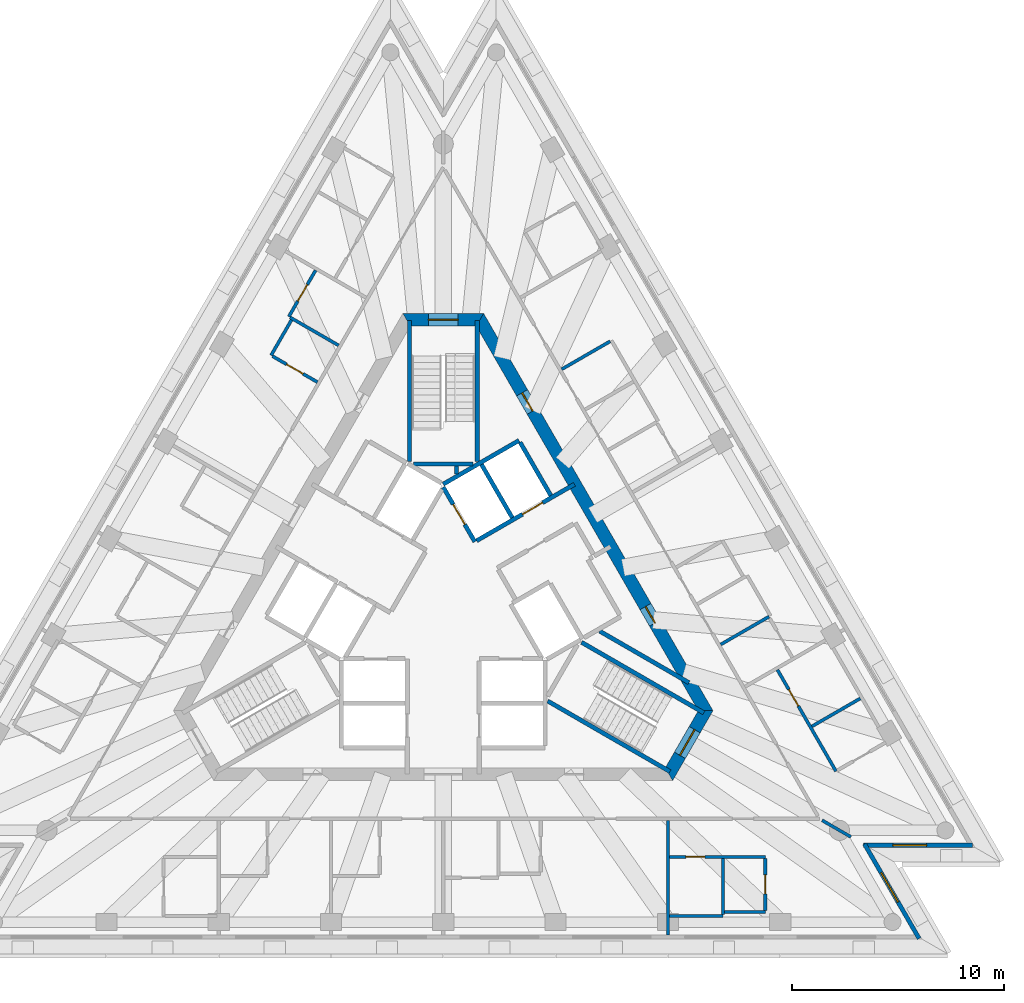
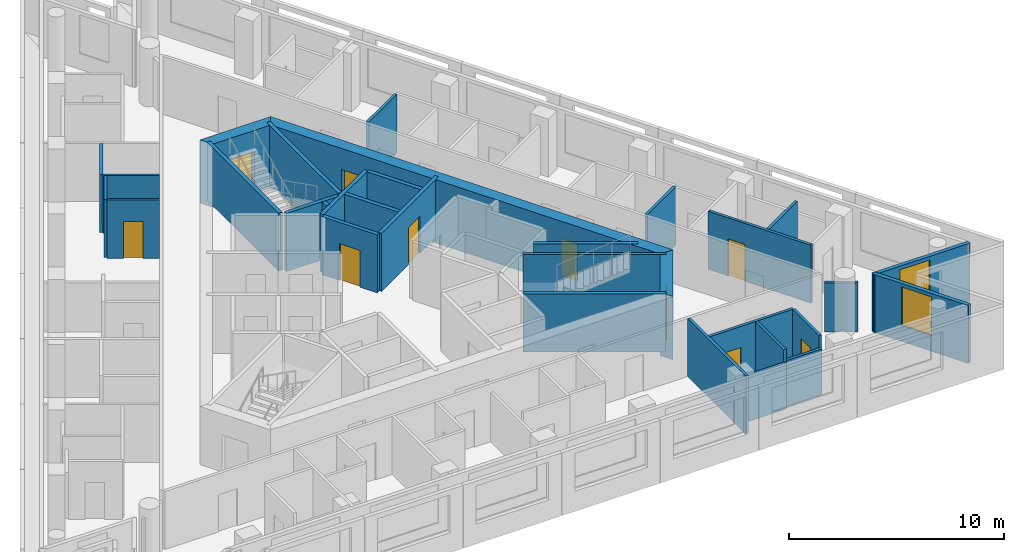
# One storey, part 6 of 11: 32 walls, 11 doors, 2 windows, 13 openings.
"""IFC4 building model written with IfcOpenShell, lengths in metres."""

from ifc_helpers import new_model, si_unit, direction, frame, frame_2d, origin, place, context, subcontext, project, spatial, polyline, rectangle, outline, extrude, material, layer, layer_set, layer_usage, type_object, element, fill, save


model = new_model("IFC4")

# Units and contexts
model_context = context("Model", 3, precision=1e-05, world=origin(), true_north=direction((0.0, 1.0)))
body_context = subcontext(model_context, "Body", "Model", "MODEL_VIEW")
ifc_project = project(units=[si_unit("LENGTHUNIT", "METRE"), si_unit("AREAUNIT", "SQUARE_METRE"), si_unit("VOLUMEUNIT", "CUBIC_METRE"), si_unit("PLANEANGLEUNIT", "RADIAN"), si_unit("MASSUNIT", "GRAM", prefix="KILO")], contexts=[model_context])

# Site, building, storey
site_placement = place(None, origin())
site = spatial("IfcSite", under=ifc_project, at=site_placement, CompositionType="ELEMENT")
building_placement = place(site_placement, origin())
building = spatial("IfcBuilding", under=site, at=building_placement, Name="Triada Interchange Tower", CompositionType="ELEMENT")
storey_placement = place(building_placement, frame((0.0, 0.0, 307.89990234375)))
storey = spatial("IfcBuildingStorey", under=building, at=storey_placement, Name="L73", CompositionType="ELEMENT", Elevation=307.89990234375)

# Wall
ifc_material_1 = material(Name="Concrete C30/37", Category="concrete")
ifc_layer_1 = layer(ifc_material_1, 0.199951171875)
ifc_layer_set_1 = layer_set([ifc_layer_1], Name="CORE WALL 200 EI 120")
wall_type_1 = type_object("IfcWallType", Name="CORE WALL 200 EI 120", PredefinedType="SOLIDWALL", material=ifc_layer_set_1)
wall_1_placement = place(storey_placement, frame((-0.001953125, 5.541015625, 0.0), z_axis=(0.0, 0.0, 1.0), x_axis=(0.86600155993, 0.500041296494, 0.0)))
element("IfcWall", 1, at=wall_1_placement, inside=storey, type_object=wall_type_1, Name="Wall L71 79", PredefinedType="SOLIDWALL", context=body_context, shape_type="SweptSolid", body=[
    extrude(rectangle(XDim=4.131591796875, YDim=0.199951171875, at=frame_2d((2.06591796875, 0.0))), origin(), (0.0, 0.0, 1.0), 3.300048828125),
])

# Wall, opening, door
wall_2_placement = place(storey_placement, frame((0.0, 5.39990234375, 0.0), z_axis=(0.0, 0.0, 1.0), x_axis=(0.500103862429, -0.865965430478, 0.0)))
wall_2 = element("IfcWall", 2, at=wall_2_placement, inside=storey, type_object=wall_type_1, Name="Wall L71 80", PredefinedType="SOLIDWALL", context=body_context, shape_type="SweptSolid", body=[
    extrude(rectangle(XDim=2.973388671875, YDim=0.199951171875, at=frame_2d((1.48681640625, 0.0))), origin(), (0.0, 0.0, 1.0), 3.300048828125),
])
opening_1_placement = place(wall_2_placement, frame((0.93701171875, 0.0, 0.0)))
opening_1 = element("IfcOpeningElement", 3, at=opening_1_placement, cuts=wall_2, Name="Opening LD-HR5", PredefinedType="OPENING", context=body_context, shape_type="SweptSolid", body=[
    extrude(rectangle(XDim=1.10009765625, YDim=2.10009765625, at=frame_2d((0.550048828125, 1.050048828125))), frame((0.0, 0.10986328125, 0.0), z_axis=(0.0, -1.0, 0.0), x_axis=(1.0, 0.0, 0.0)), (0.0, 0.0, 1.0), 0.219970703125),
])
ifc_material_2 = material(Name="Steel S235 door leaf", Category="steel")
door_type_1 = type_object("IfcDoorType", Name="LIFT LANDING DOOR 1100 EI 120", OperationType="SLIDING_TO_LEFT", PredefinedType="DOOR", material=ifc_material_2)
door_1_placement = place(opening_1_placement, origin())
door_1 = element("IfcDoor", 4, at=door_1_placement, inside=storey, type_object=door_type_1, Name="HR5 landing door L73", OperationType="SLIDING_TO_LEFT", OverallHeight=2.10009765625, OverallWidth=1.10009765625, PredefinedType="DOOR", context=body_context, shape_type="SweptSolid", body=[
    extrude(rectangle(XDim=1.10009765625, YDim=2.10009765625, at=frame_2d((0.550048828125, 1.050048828125))), frame((0.0, 0.02490234375, 0.0), z_axis=(0.0, -1.0, 0.0), x_axis=(1.0, 0.0, 0.0)), (0.0, 0.0, 1.0), 0.050048828125),
])
fill(opening_1, door_1)

wall_3_placement = place(storey_placement, frame((1.577880859375, 2.8740234375, 0.0), z_axis=(0.0, 0.0, 1.0), x_axis=(0.866045911672, 0.499964477614, 0.0)))
wall_3 = element("IfcWall", 5, at=wall_3_placement, inside=storey, type_object=wall_type_1, Name="Wall L71 82", PredefinedType="SOLIDWALL", context=body_context, shape_type="SweptSolid", body=[
    extrude(rectangle(XDim=5.32666015625, YDim=0.199951171875, at=frame_2d((2.663330078125, 0.0))), origin(), (0.0, 0.0, 1.0), 3.300048828125),
])
opening_2_placement = place(wall_3_placement, frame((2.49609375, 0.0, 0.0)))
opening_2 = element("IfcOpeningElement", 6, at=opening_2_placement, cuts=wall_3, Name="Opening LD-HR6", PredefinedType="OPENING", context=body_context, shape_type="SweptSolid", body=[
    extrude(rectangle(XDim=1.10009765625, YDim=2.10009765625, at=frame_2d((0.550048828125, 1.050048828125))), frame((0.0, 0.10986328125, 0.0), z_axis=(0.0, -1.0, 0.0), x_axis=(1.0, 0.0, 0.0)), (0.0, 0.0, 1.0), 0.219970703125),
])
door_2_placement = place(opening_2_placement, origin())
door_2 = element("IfcDoor", 7, at=door_2_placement, inside=storey, type_object=door_type_1, Name="HR6 landing door L73", OperationType="SLIDING_TO_LEFT", OverallHeight=2.10009765625, OverallWidth=1.10009765625, PredefinedType="DOOR", context=body_context, shape_type="SweptSolid", body=[
    extrude(rectangle(XDim=1.10009765625, YDim=2.10009765625, at=frame_2d((0.550048828125, 1.050048828125))), frame((0.0, 0.02490234375, 0.0), z_axis=(0.0, -1.0, 0.0), x_axis=(1.0, 0.0, 0.0)), (0.0, 0.0, 1.0), 0.050048828125),
])
fill(opening_2, door_2)

# Walls
for number, where, z_axis, x_axis, name in (
    (8, (3.6259765625, 7.52001953125, 0.0), (0.0, 0.0, 1.0), (0.500060147554, -0.865990674793, 0.0), "Wall L71 87"),
    (9, (1.806884765625, 6.469970703125, 0.0), (0.0, 0.0, 1.0), (0.50012328804, -0.865954211699, 0.0), "Wall L71 88"),
):
    element("IfcWall", number, at=place(storey_placement, frame(where, z_axis=z_axis, x_axis=x_axis)), inside=storey, type_object=wall_type_1, Name=name, PredefinedType="SOLIDWALL", context=body_context, shape_type="SweptSolid", body=[
        extrude(rectangle(XDim=2.899658203125, YDim=0.199951171875, at=frame_2d((1.44970703125, 0.0))), origin(), (0.0, 0.0, 1.0), 3.300048828125),
    ])
ifc_layer_2 = layer(ifc_material_1, 0.199951171875)
ifc_layer_set_2 = layer_set([ifc_layer_2], Name="CORE WALL 200 EI 90")
wall_type_2 = type_object("IfcWallType", Name="CORE WALL 200 EI 90", PredefinedType="SOLIDWALL", material=ifc_layer_set_2)
wall_4_placement = place(storey_placement, frame((0.62109375, 6.01611328125, 0.0), z_axis=(0.0, 0.0, 1.0), x_axis=(0.0, 1.0, 0.0)))
element("IfcWall", 10, at=wall_4_placement, inside=storey, type_object=wall_type_2, Name="Wall L71 110", PredefinedType="SOLIDWALL", context=body_context, shape_type="SweptSolid", body=[
    extrude(rectangle(XDim=0.3837890625, YDim=0.199951171875, at=frame_2d((0.19189453125, 0.0))), origin(), (0.0, 0.0, 1.0), 3.300048828125),
])
wall_5_placement = place(storey_placement, frame((7.383056640625, -1.39501953125, 0.0), z_axis=(0.0, 0.0, 1.0), x_axis=(0.865968383994, -0.500098748171, 0.0)))
element("IfcWall", 11, at=wall_5_placement, inside=storey, type_object=wall_type_2, Name="Wall L71 114", PredefinedType="SOLIDWALL", context=body_context, shape_type="SweptSolid", body=[
    extrude(rectangle(XDim=4.8671875, YDim=0.199951171875, at=frame_2d((2.43359375, 0.0))), origin(), (0.0, 0.0, 1.0), 3.300048828125),
])
ifc_layer_3 = layer(ifc_material_1, 0.199951171875)
ifc_layer_set_3 = layer_set([ifc_layer_3], Name="CORE WALL 200 REI 240")
wall_type_3 = type_object("IfcWallType", Name="CORE WALL 200 REI 240", PredefinedType="SOLIDWALL", material=ifc_layer_set_3)
wall_6_placement = place(storey_placement, frame((1.60009765625, 6.614990234375, 0.0), z_axis=(0.0, 0.0, 1.0), x_axis=(0.0, 1.0, 0.0)))
element("IfcWall", 12, at=wall_6_placement, inside=storey, type_object=wall_type_3, Name="Wall L71 118", PredefinedType="SOLIDWALL", context=body_context, shape_type="SweptSolid", body=[
    extrude(rectangle(XDim=6.6650390625, YDim=0.199951171875, at=frame_2d((3.33251953125, 0.0))), origin(), (0.0, 0.0, 1.0), 3.300048828125),
])
wall_7_placement = place(storey_placement, frame((-1.39990234375, 6.5, 0.0), z_axis=(0.0, 0.0, 1.0), x_axis=(1.0, 0.0, 0.0)))
element("IfcWall", 13, at=wall_7_placement, inside=storey, type_object=wall_type_3, Name="Wall L71 119", PredefinedType="SOLIDWALL", context=body_context, shape_type="SweptSolid", body=[
    extrude(rectangle(XDim=2.7998046875, YDim=0.199951171875, at=frame_2d((1.39990234375, 0.0))), origin(), (0.0, 0.0, 1.0), 3.300048828125),
])
for number, where, z_axis, x_axis, name in (
    (14, (-1.60009765625, 6.614990234375, 0.0), (0.0, 0.0, 1.0), (0.0, 1.0, 0.0), "Wall L71 120"),
    (15, (4.928955078125, -4.693115234375, 0.0), (0.0, 0.0, 1.0), (0.866005022404, -0.500035299925, 0.0), "Wall L71 121"),
):
    element("IfcWall", number, at=place(storey_placement, frame(where, z_axis=z_axis, x_axis=x_axis)), inside=storey, type_object=wall_type_3, Name=name, PredefinedType="SOLIDWALL", context=body_context, shape_type="SweptSolid", body=[
        extrude(rectangle(XDim=6.6650390625, YDim=0.199951171875, at=frame_2d((3.33251953125, 0.0))), origin(), (0.0, 0.0, 1.0), 3.300048828125),
    ])
wall_8_placement = place(storey_placement, frame((6.529052734375, -1.922119140625, 0.0), z_axis=(0.0, 0.0, 1.0), x_axis=(0.866068467981, -0.499925403204, 0.0)))
element("IfcWall", 16, at=wall_8_placement, inside=storey, type_object=wall_type_3, Name="Wall L71 123", PredefinedType="SOLIDWALL", context=body_context, shape_type="SweptSolid", body=[
    extrude(rectangle(XDim=6.66455078125, YDim=0.199951171875, at=frame_2d((3.332275390625, 0.0))), origin(), (0.0, 0.0, 1.0), 3.300048828125),
])

# Wall, opening, door
ifc_material_3 = material(Name="Concrete C40/50", Category="concrete")
ifc_layer_4 = layer(ifc_material_3, 0.60009765625)
ifc_layer_set_4 = layer_set([ifc_layer_4], Name="Core wall D 600")
wall_type_4 = type_object("IfcWallType", Name="Core wall D 600", PredefinedType="SHEAR", material=ifc_layer_set_4)
wall_9_placement = place(storey_placement, frame((1.73193359375, 13.300048828125, -0.2998046875), z_axis=(0.0, 0.0, 1.0), x_axis=(-1.0, 0.0, 0.0)))
wall_9 = element("IfcWall", 17, at=wall_9_placement, inside=storey, type_object=wall_type_4, Name="Core wall WD01 L73", PredefinedType="SHEAR", context=body_context, shape_type="SweptSolid", body=[
    extrude(outline(polyline([(-0.173095703125, -0.300048828125), (1.73193359375, -0.300048828125), (3.636962890625, -0.300048828125), (3.291015625, 0.300048828125), (1.73193359375, 0.300048828125), (0.173095703125, 0.300048828125), (-0.173095703125, -0.300048828125)])), origin(), (0.0, 0.0, 1.0), 3.599853515625),
])
opening_3_placement = place(wall_9_placement, frame((1.031982421875, 0.0, 0.300048828125)))
opening_3 = element("IfcOpeningElement", 18, at=opening_3_placement, cuts=wall_9, Name="Opening D71-50", PredefinedType="OPENING", context=body_context, shape_type="SweptSolid", body=[
    extrude(rectangle(XDim=1.39990234375, YDim=2.10009765625, at=frame_2d((0.699951171875, 1.050048828125))), frame((0.0, 0.31005859375, 0.0), z_axis=(0.0, -1.0, 0.0), x_axis=(1.0, 0.0, 0.0)), (0.0, 0.0, 1.0), 0.6201171875),
])
door_type_2 = type_object("IfcDoorType", Name="STAIR DOOR 1400 EI2 90-C5S200", OperationType="DOUBLE_DOOR_SINGLE_SWING", PredefinedType="DOOR", material=ifc_material_2)
door_3_placement = place(opening_3_placement, origin())
door_3 = element("IfcDoor", 19, at=door_3_placement, inside=storey, type_object=door_type_2, Name="Door D71-50 L73", OperationType="DOUBLE_DOOR_SINGLE_SWING", OverallHeight=2.10009765625, OverallWidth=1.39990234375, PredefinedType="DOOR", context=body_context, shape_type="SweptSolid", body=[
    extrude(rectangle(XDim=1.39990234375, YDim=2.10009765625, at=frame_2d((0.699951171875, 1.050048828125))), frame((0.0, 0.02490234375, 0.0), z_axis=(0.0, -1.0, 0.0), x_axis=(1.0, 0.0, 0.0)), (0.0, 0.0, 1.0), 0.050048828125),
])
fill(opening_3, door_3)

wall_10_placement = place(storey_placement, frame((10.652099609375, -8.14990234375, -0.2998046875), z_axis=(0.0, 0.0, 1.0), x_axis=(0.49997462182, 0.866040055388, 0.0)))
wall_10 = element("IfcWall", 20, at=wall_10_placement, inside=storey, type_object=wall_type_4, Name="Core wall WD05 L73", PredefinedType="SHEAR", context=body_context, shape_type="SweptSolid", body=[
    extrude(outline(polyline([(-0.173095703125, -0.300048828125), (1.732421875, -0.300537109375), (3.637939453125, -0.301025390625), (3.291015625, 0.300048828125), (1.73193359375, 0.300048828125), (0.173095703125, 0.300048828125), (-0.173095703125, -0.300048828125)])), origin(), (0.0, 0.0, 1.0), 3.599853515625),
])
opening_4_placement = place(wall_10_placement, frame((1.031982421875, 0.0, 0.300048828125)))
opening_4 = element("IfcOpeningElement", 21, at=opening_4_placement, cuts=wall_10, Name="Opening D71-52", PredefinedType="OPENING", context=body_context, shape_type="SweptSolid", body=[
    extrude(rectangle(XDim=1.39990234375, YDim=2.10009765625, at=frame_2d((0.699951171875, 1.050048828125))), frame((0.0, 0.31005859375, 0.0), z_axis=(0.0, -1.0, 0.0), x_axis=(1.0, 0.0, 0.0)), (0.0, 0.0, 1.0), 0.62109375),
])
door_4_placement = place(opening_4_placement, origin())
door_4 = element("IfcDoor", 22, at=door_4_placement, inside=storey, type_object=door_type_2, Name="Door D71-52 L73", OperationType="DOUBLE_DOOR_SINGLE_SWING", OverallHeight=2.10009765625, OverallWidth=1.39990234375, PredefinedType="DOOR", context=body_context, shape_type="SweptSolid", body=[
    extrude(rectangle(XDim=1.39990234375, YDim=2.10009765625, at=frame_2d((0.699951171875, 1.050048828125))), frame((0.0, 0.02490234375, 0.0), z_axis=(0.0, -1.0, 0.0), x_axis=(1.0, 0.0, 0.0)), (0.0, 0.0, 1.0), 0.050048828125),
])
fill(opening_4, door_4)

# Wall, openings, doors
wall_11_placement = place(storey_placement, frame((12.384033203125, -5.14990234375, -0.2998046875), z_axis=(0.0, 0.0, 1.0), x_axis=(-0.500000539815, 0.866025092122, 0.0)))
wall_11 = element("IfcWall", 23, at=wall_11_placement, inside=storey, type_object=wall_type_4, Name="Core wall WD06 L73", PredefinedType="SHEAR", context=body_context, shape_type="SweptSolid", body=[
    extrude(outline(polyline([(-0.173095703125, -0.301025390625), (1.795166015625, -0.301025390625), (3.76318359375, -0.30078125), (5.7314453125, -0.30078125), (7.69970703125, -0.30078125), (9.66796875, -0.300537109375), (11.635986328125, -0.300537109375), (13.604248046875, -0.30029296875), (15.572509765625, -0.30029296875), (17.540771484375, -0.30029296875), (19.5087890625, -0.300048828125), (21.47705078125, -0.300048828125), (21.131103515625, 0.300048828125), (19.225830078125, 0.300048828125), (17.320556640625, 0.300048828125), (15.415283203125, 0.300048828125), (13.510009765625, 0.300048828125), (11.604736328125, 0.300048828125), (9.699462890625, 0.300048828125), (7.794189453125, 0.300048828125), (5.888916015625, 0.300048828125), (3.983642578125, 0.300048828125), (2.078369140625, 0.300048828125), (0.173095703125, 0.300048828125), (-0.173095703125, -0.301025390625)])), origin(), (0.0, 0.0, 1.0), 3.599853515625),
])
opening_5_placement = place(wall_11_placement, frame((16.327880859375, 0.0, 0.300048828125)))
opening_5 = element("IfcOpeningElement", 24, at=opening_5_placement, cuts=wall_11, Name="Opening D71-57", PredefinedType="OPENING", context=body_context, shape_type="SweptSolid", body=[
    extrude(rectangle(XDim=1.0, YDim=2.10009765625, at=frame_2d((0.5, 1.050048828125))), frame((0.0, 0.31005859375, 0.0), z_axis=(0.0, -1.0, 0.0), x_axis=(1.0, 0.0, 0.0)), (0.0, 0.0, 1.0), 0.62109375),
])
opening_6_placement = place(wall_11_placement, frame((4.777099609375, 0.0, 0.300048828125)))
opening_6 = element("IfcOpeningElement", 25, at=opening_6_placement, cuts=wall_11, Name="Opening D71-59", PredefinedType="OPENING", context=body_context, shape_type="SweptSolid", body=[
    extrude(rectangle(XDim=0.89990234375, YDim=2.10009765625, at=frame_2d((0.449951171875, 1.050048828125))), frame((0.0, 0.31005859375, 0.0), z_axis=(0.0, -1.0, 0.0), x_axis=(1.0, 0.0, 0.0)), (0.0, 0.0, 1.0), 0.62109375),
])
door_type_3 = type_object("IfcDoorType", Name="RISER ACCESS DOOR 900 EI2 45-C5S200", OperationType="NOTDEFINED", PredefinedType="DOOR", material=ifc_material_2)
door_5_placement = place(opening_6_placement, origin())
door_5 = element("IfcDoor", 26, at=door_5_placement, inside=storey, type_object=door_type_3, Name="Door D71-59 L73", OperationType="SINGLE_SWING_LEFT", OverallHeight=2.10009765625, OverallWidth=0.89990234375, PredefinedType="DOOR", context=body_context, shape_type="SweptSolid", body=[
    extrude(rectangle(XDim=0.89990234375, YDim=2.10009765625, at=frame_2d((0.449951171875, 1.050048828125))), frame((0.0, 0.02490234375, 0.0), z_axis=(0.0, -1.0, 0.0), x_axis=(1.0, 0.0, 0.0)), (0.0, 0.0, 1.0), 0.050048828125),
])
fill(opening_6, door_5)
door_type_4 = type_object("IfcDoorType", Name="SERVICE DOOR 1000 EI2 45-C5S200", OperationType="NOTDEFINED", PredefinedType="DOOR", material=ifc_material_2)
door_6_placement = place(opening_5_placement, origin())
door_6 = element("IfcDoor", 27, at=door_6_placement, inside=storey, type_object=door_type_4, Name="Door D71-57 L73", OperationType="SINGLE_SWING_RIGHT", OverallHeight=2.10009765625, OverallWidth=1.0, PredefinedType="DOOR", context=body_context, shape_type="SweptSolid", body=[
    extrude(rectangle(XDim=1.0, YDim=2.10009765625, at=frame_2d((0.5, 1.050048828125))), frame((0.0, 0.02490234375, 0.0), z_axis=(0.0, -1.0, 0.0), x_axis=(1.0, 0.0, 0.0)), (0.0, 0.0, 1.0), 0.050048828125),
])
fill(opening_5, door_6)

# Wall, opening, window
ifc_material_4 = material(Name="Cement board")
ifc_layer_5 = layer(ifc_material_4, 0.02001953125, Name="Cement board cladding")
ifc_material_5 = material(Name="Sheathing board")
ifc_layer_6 = layer(ifc_material_5, 0.014892578125, Name="Sheathing board")
ifc_material_6 = material(Name="Mineral wool")
ifc_layer_7 = layer(ifc_material_6, 0.14990234375, Name="Mineral wool between steel studs")
ifc_material_7 = material(Name="Gypsum board")
ifc_layer_8 = layer(ifc_material_7, 0.014892578125, Name="Plasterboard lining")
ifc_layer_set_5 = layer_set([ifc_layer_5, ifc_layer_6, ifc_layer_7, ifc_layer_8], Name="External wall 200")
ifc_layer_usage = layer_usage(ifc_layer_set_5, "AXIS2", "POSITIVE", -0.10009765625)
wall_type_5 = type_object("IfcWallType", Name="External wall 200", PredefinedType="ELEMENTEDWALL", material=ifc_layer_set_5)
wall_12_placement = place(storey_placement, frame((22.4619140625, -15.905029296875, 0.0), z_axis=(0.0, 0.0, 1.0), x_axis=(-0.500054376048, 0.865994007483, 0.0)))
wall_12 = element("IfcWall", 28, at=wall_12_placement, inside=storey, type_object=wall_type_5, material=ifc_layer_usage, Name="External wall L73 SE-1", PredefinedType="ELEMENTEDWALL", context=body_context, shape_type="SweptSolid", body=[
    extrude(rectangle(XDim=5.1572265625, YDim=0.199951171875, at=frame_2d((2.57861328125, 0.0))), origin(), (0.0, 0.0, 1.0), 3.300048828125),
])
opening_7_placement = place(wall_12_placement, frame((1.989990234375, 0.0, 0.89990234375)))
opening_7 = element("IfcOpeningElement", 29, at=opening_7_placement, cuts=wall_12, Name="Opening WD19", PredefinedType="OPENING", context=body_context, shape_type="SweptSolid", body=[
    extrude(rectangle(XDim=1.60009765625, YDim=2.199951171875, at=frame_2d((0.800048828125, 1.10009765625))), frame((0.0, 0.10986328125, 0.0), z_axis=(0.0, -1.0, 0.0), x_axis=(1.0, 0.0, 0.0)), (0.0, 0.0, 1.0), 0.219970703125),
])
ifc_material_8 = material(Name="Double glazed aluminium window", Category="aluminium")
window_type = type_object("IfcWindowType", Name="Ribbon window D pocket", PartitioningType="SINGLE_PANEL", PredefinedType="WINDOW", material=ifc_material_8)
window_1_placement = place(opening_7_placement, origin())
window_1 = element("IfcWindow", 30, at=window_1_placement, inside=storey, type_object=window_type, Name="Window L73 SE-1 1", OverallHeight=2.199951171875, OverallWidth=1.60009765625, PartitioningType="SINGLE_PANEL", PredefinedType="WINDOW", context=body_context, shape_type="SweptSolid", body=[
    extrude(rectangle(XDim=1.60009765625, YDim=2.199951171875, at=frame_2d((0.800048828125, 1.10009765625))), frame((0.0, 0.030029296875, 0.0), z_axis=(0.0, -1.0, 0.0), x_axis=(1.0, 0.0, 0.0)), (0.0, 0.0, 1.0), 0.06005859375),
])
fill(opening_7, window_1)

wall_13_placement = place(storey_placement, frame((19.827880859375, -11.5, 0.0), z_axis=(0.0, 0.0, 1.0), x_axis=(1.0, 0.0, 0.0)))
wall_13 = element("IfcWall", 31, at=wall_13_placement, inside=storey, type_object=wall_type_5, material=ifc_layer_usage, Name="External wall L73 SE-2", PredefinedType="ELEMENTEDWALL", context=body_context, shape_type="SweptSolid", body=[
    extrude(rectangle(XDim=5.1572265625, YDim=0.199951171875, at=frame_2d((2.57861328125, 0.0))), origin(), (0.0, 0.0, 1.0), 3.300048828125),
])
opening_8_placement = place(wall_13_placement, frame((1.389892578125, 0.0, 0.89990234375)))
opening_8 = element("IfcOpeningElement", 32, at=opening_8_placement, cuts=wall_13, Name="Opening WD20", PredefinedType="OPENING", context=body_context, shape_type="SweptSolid", body=[
    extrude(rectangle(XDim=1.60009765625, YDim=2.199951171875, at=frame_2d((0.800048828125, 1.10009765625))), frame((0.0, 0.10986328125, 0.0), z_axis=(0.0, -1.0, 0.0), x_axis=(1.0, 0.0, 0.0)), (0.0, 0.0, 1.0), 0.219970703125),
])
window_2_placement = place(opening_8_placement, origin())
window_2 = element("IfcWindow", 33, at=window_2_placement, inside=storey, type_object=window_type, Name="Window L73 SE-2 1", OverallHeight=2.199951171875, OverallWidth=1.60009765625, PartitioningType="SINGLE_PANEL", PredefinedType="WINDOW", context=body_context, shape_type="SweptSolid", body=[
    extrude(rectangle(XDim=1.60009765625, YDim=2.199951171875, at=frame_2d((0.800048828125, 1.10009765625))), frame((0.0, 0.030029296875, 0.0), z_axis=(0.0, -1.0, 0.0), x_axis=(1.0, 0.0, 0.0)), (0.0, 0.0, 1.0), 0.06005859375),
])
fill(opening_8, window_2)

# Walls
ifc_material_9 = material(Name="Gypsum board partition")
ifc_layer_9 = layer(ifc_material_9, 0.14990234375)
ifc_layer_set_6 = layer_set([ifc_layer_9], Name="PARTITION 150 EI 180")
wall_type_6 = type_object("IfcWallType", Name="PARTITION 150 EI 180", PredefinedType="PARTITIONING", material=ifc_layer_set_6)
wall_14_placement = place(storey_placement, frame((17.883056640625, -10.324951171875, 0.0), z_axis=(0.0, 0.0, 1.0), x_axis=(0.865859083376, -0.500287964811, 0.0)))
element("IfcWall", 34, at=wall_14_placement, inside=storey, type_object=wall_type_6, Name="Wall L71 8", PredefinedType="PARTITIONING", context=body_context, shape_type="SweptSolid", body=[
    extrude(rectangle(XDim=1.5693359375, YDim=0.14990234375, at=frame_2d((0.78466796875, 0.0))), origin(), (0.0, 0.0, 1.0), 2.800048828125),
])
wall_15_placement = place(storey_placement, frame((5.591064453125, 10.965087890625, 0.0), z_axis=(0.0, 0.0, 1.0), x_axis=(0.86592206805, 0.500178940045, 0.0)))
element("IfcWall", 35, at=wall_15_placement, inside=storey, type_object=wall_type_6, Name="Wall L71 18", PredefinedType="PARTITIONING", context=body_context, shape_type="SweptSolid", body=[
    extrude(rectangle(XDim=2.638671875, YDim=0.14990234375, at=frame_2d((1.3193359375, 0.0))), origin(), (0.0, 0.0, 1.0), 3.300048828125),
])
wall_16_placement = place(storey_placement, frame((10.60205078125, -15.7470703125, 0.0), z_axis=(0.0, 0.0, 1.0), x_axis=(0.0, 1.0, 0.0)))
element("IfcWall", 36, at=wall_16_placement, inside=storey, type_object=wall_type_6, Name="Wall L71 21", PredefinedType="PARTITIONING", context=body_context, shape_type="SweptSolid", body=[
    extrude(rectangle(XDim=5.422119140625, YDim=0.14990234375, at=frame_2d((2.7109375, 0.0))), origin(), (0.0, 0.0, 1.0), 3.300048828125),
])
wall_17_placement = place(storey_placement, frame((13.093017578125, -2.027099609375, 0.0), z_axis=(0.0, 0.0, 1.0), x_axis=(0.866042279195, 0.499970769793, 0.0)))
element("IfcWall", 37, at=wall_17_placement, inside=storey, type_object=wall_type_6, Name="Wall L71 25", PredefinedType="PARTITIONING", context=body_context, shape_type="SweptSolid", body=[
    extrude(rectangle(XDim=2.638427734375, YDim=0.14990234375, at=frame_2d((1.3193359375, 0.0))), origin(), (0.0, 0.0, 1.0), 3.300048828125),
])

# Wall, opening, door
ifc_layer_10 = layer(ifc_material_9, 0.14990234375)
ifc_layer_set_7 = layer_set([ifc_layer_10], Name="PARTITION 150 EI 90")
wall_type_7 = type_object("IfcWallType", Name="PARTITION 150 EI 90", PredefinedType="PARTITIONING", material=ifc_layer_set_7)
wall_18_placement = place(storey_placement, frame((-7.291015625, 13.448974609375, 0.0), z_axis=(0.0, 0.0, 1.0), x_axis=(0.500079482444, 0.865979509711, 0.0)))
wall_18 = element("IfcWall", 38, at=wall_18_placement, inside=storey, type_object=wall_type_7, Name="Wall L71 35", PredefinedType="PARTITIONING", context=body_context, shape_type="SweptSolid", body=[
    extrude(rectangle(XDim=2.525390625, YDim=0.14990234375, at=frame_2d((1.2626953125, 0.0))), origin(), (0.0, 0.0, 1.0), 3.300048828125),
])
opening_9_placement = place(wall_18_placement, frame((0.85009765625, 0.0, 0.0)))
opening_9 = element("IfcOpeningElement", 39, at=opening_9_placement, cuts=wall_18, Name="Opening D71-40", PredefinedType="OPENING", context=body_context, shape_type="SweptSolid", body=[
    extrude(rectangle(XDim=0.89990234375, YDim=2.10009765625, at=frame_2d((0.449951171875, 1.050048828125))), frame((0.0, 0.0849609375, 0.0), z_axis=(0.0, -1.0, 0.0), x_axis=(1.0, 0.0, 0.0)), (0.0, 0.0, 1.0), 0.169921875),
])
door_type_5 = type_object("IfcDoorType", Name="ROOM DOOR 900 EI2 45-C5S200", OperationType="NOTDEFINED", PredefinedType="DOOR", material=ifc_material_2)
door_7_placement = place(opening_9_placement, origin())
door_7 = element("IfcDoor", 40, at=door_7_placement, inside=storey, type_object=door_type_5, Name="Door D71-40 L73", OperationType="SINGLE_SWING_LEFT", OverallHeight=2.10009765625, OverallWidth=0.89990234375, PredefinedType="DOOR", context=body_context, shape_type="SweptSolid", body=[
    extrude(rectangle(XDim=0.89990234375, YDim=2.10009765625, at=frame_2d((0.449951171875, 1.050048828125))), frame((0.0, 0.02490234375, 0.0), z_axis=(0.0, -1.0, 0.0), x_axis=(1.0, 0.0, 0.0)), (0.0, 0.0, 1.0), 0.050048828125),
])
fill(opening_9, door_7)

wall_19_placement = place(storey_placement, frame((10.677001953125, -12.050048828125, 0.0), z_axis=(0.0, 0.0, 1.0), x_axis=(1.0, 0.0, 0.0)))
wall_19 = element("IfcWall", 41, at=wall_19_placement, inside=storey, type_object=wall_type_7, Name="Wall L71 43", PredefinedType="PARTITIONING", context=body_context, shape_type="SweptSolid", body=[
    extrude(rectangle(XDim=4.52490234375, YDim=0.14990234375, at=frame_2d((2.262451171875, 0.0))), origin(), (0.0, 0.0, 1.0), 3.300048828125),
])
opening_10_placement = place(wall_19_placement, frame((0.77490234375, 0.0, 0.0)))
opening_10 = element("IfcOpeningElement", 42, at=opening_10_placement, cuts=wall_19, Name="Opening D71-21", PredefinedType="OPENING", context=body_context, shape_type="SweptSolid", body=[
    extrude(rectangle(XDim=0.89990234375, YDim=2.10009765625, at=frame_2d((0.449951171875, 1.050048828125))), frame((0.0, 0.0849609375, 0.0), z_axis=(0.0, -1.0, 0.0), x_axis=(1.0, 0.0, 0.0)), (0.0, 0.0, 1.0), 0.169921875),
])
door_8_placement = place(opening_10_placement, origin())
door_8 = element("IfcDoor", 43, at=door_8_placement, inside=storey, type_object=door_type_5, Name="Door D71-21 L73", OperationType="SINGLE_SWING_RIGHT", OverallHeight=2.10009765625, OverallWidth=0.89990234375, PredefinedType="DOOR", context=body_context, shape_type="SweptSolid", body=[
    extrude(rectangle(XDim=0.89990234375, YDim=2.10009765625, at=frame_2d((0.449951171875, 1.050048828125))), frame((0.0, 0.02490234375, 0.0), z_axis=(0.0, -1.0, 0.0), x_axis=(1.0, 0.0, 0.0)), (0.0, 0.0, 1.0), 0.050048828125),
])
fill(opening_10, door_8)

# Walls
wall_20_placement = place(storey_placement, frame((10.677001953125, -14.837890625, 0.0), z_axis=(0.0, 0.0, 1.0), x_axis=(1.0, 0.0, 0.0)))
element("IfcWall", 44, at=wall_20_placement, inside=storey, type_object=wall_type_7, Name="Wall L71 46", PredefinedType="PARTITIONING", context=body_context, shape_type="SweptSolid", body=[
    extrude(rectangle(XDim=2.52490234375, YDim=0.14990234375, at=frame_2d((1.262451171875, 0.0))), origin(), (0.0, 0.0, 1.0), 2.60009765625),
])
wall_21_placement = place(storey_placement, frame((-7.22607421875, 13.412109375, 0.0), z_axis=(0.0, 0.0, 1.0), x_axis=(0.866065407652, -0.499930704866, 0.0)))
element("IfcWall", 45, at=wall_21_placement, inside=storey, type_object=wall_type_7, Name="Wall L71 47", PredefinedType="PARTITIONING", context=body_context, shape_type="SweptSolid", body=[
    extrude(rectangle(XDim=2.638427734375, YDim=0.14990234375, at=frame_2d((1.3193359375, 0.0))), origin(), (0.0, 0.0, 1.0), 3.300048828125),
])
wall_22_placement = place(storey_placement, frame((-8.126953125, 11.623046875, 0.0), z_axis=(0.0, 0.0, 1.0), x_axis=(0.499795662447, 0.866143345988, 0.0)))
element("IfcWall", 46, at=wall_22_placement, inside=storey, type_object=wall_type_7, Name="Wall L71 48", PredefinedType="PARTITIONING", context=body_context, shape_type="SweptSolid", body=[
    extrude(rectangle(XDim=1.924560546875, YDim=0.14990234375, at=frame_2d((0.96240234375, 0.0))), origin(), (0.0, 0.0, 1.0), 3.300048828125),
])

# Wall, opening, door
wall_23_placement = place(storey_placement, frame((-8.06201171875, 11.5849609375, 0.0), z_axis=(0.0, 0.0, 1.0), x_axis=(0.865983065851, -0.500073324283, 0.0)))
wall_23 = element("IfcWall", 47, at=wall_23_placement, inside=storey, type_object=wall_type_7, Name="Wall L71 49", PredefinedType="PARTITIONING", context=body_context, shape_type="SweptSolid", body=[
    extrude(rectangle(XDim=2.449462890625, YDim=0.14990234375, at=frame_2d((1.224609375, 0.0))), origin(), (0.0, 0.0, 1.0), 3.300048828125),
])
opening_11_placement = place(wall_23_placement, frame((0.77392578125, 0.0, 0.0)))
opening_11 = element("IfcOpeningElement", 48, at=opening_11_placement, cuts=wall_23, Name="Opening D71-41", PredefinedType="OPENING", context=body_context, shape_type="SweptSolid", body=[
    extrude(rectangle(XDim=0.89990234375, YDim=2.10009765625, at=frame_2d((0.449951171875, 1.050048828125))), frame((0.0, 0.0849609375, 0.0), z_axis=(0.0, -1.0, 0.0), x_axis=(1.0, 0.0, 0.0)), (0.0, 0.0, 1.0), 0.169921875),
])
door_type_6 = type_object("IfcDoorType", Name="SERVICE DOOR 900 EI2 45-C5S200", OperationType="NOTDEFINED", PredefinedType="DOOR", material=ifc_material_2)
door_9_placement = place(opening_11_placement, origin())
door_9 = element("IfcDoor", 49, at=door_9_placement, inside=storey, type_object=door_type_6, Name="Door D71-41 L73", OperationType="SINGLE_SWING_RIGHT", OverallHeight=2.10009765625, OverallWidth=0.89990234375, PredefinedType="DOOR", context=body_context, shape_type="SweptSolid", body=[
    extrude(rectangle(XDim=0.89990234375, YDim=2.10009765625, at=frame_2d((0.449951171875, 1.050048828125))), frame((0.0, 0.02490234375, 0.0), z_axis=(0.0, -1.0, 0.0), x_axis=(1.0, 0.0, 0.0)), (0.0, 0.0, 1.0), 0.050048828125),
])
fill(opening_11, door_9)

wall_24_placement = place(storey_placement, frame((15.77392578125, -3.220947265625, 0.0), z_axis=(0.0, 0.0, 1.0), x_axis=(0.499898410332, -0.866084048662, 0.0)))
wall_24 = element("IfcWall", 50, at=wall_24_placement, inside=storey, type_object=wall_type_7, Name="Wall L71 61", PredefinedType="PARTITIONING", context=body_context, shape_type="SweptSolid", body=[
    extrude(rectangle(XDim=5.525146484375, YDim=0.14990234375, at=frame_2d((2.7626953125, 0.0))), origin(), (0.0, 0.0, 1.0), 3.300048828125),
])
opening_12_placement = place(wall_24_placement, frame((1.074951171875, 0.0, 0.0)))
opening_12 = element("IfcOpeningElement", 51, at=opening_12_placement, cuts=wall_24, Name="Opening D71-24", PredefinedType="OPENING", context=body_context, shape_type="SweptSolid", body=[
    extrude(rectangle(XDim=0.89990234375, YDim=2.10009765625, at=frame_2d((0.449951171875, 1.050048828125))), frame((0.0, 0.0849609375, 0.0), z_axis=(0.0, -1.0, 0.0), x_axis=(1.0, 0.0, 0.0)), (0.0, 0.0, 1.0), 0.169921875),
])
door_10_placement = place(opening_12_placement, origin())
door_10 = element("IfcDoor", 52, at=door_10_placement, inside=storey, type_object=door_type_5, Name="Door D71-24 L73", OperationType="SINGLE_SWING_LEFT", OverallHeight=2.10009765625, OverallWidth=0.89990234375, PredefinedType="DOOR", context=body_context, shape_type="SweptSolid", body=[
    extrude(rectangle(XDim=0.89990234375, YDim=2.10009765625, at=frame_2d((0.449951171875, 1.050048828125))), frame((0.0, 0.02490234375, 0.0), z_axis=(0.0, -1.0, 0.0), x_axis=(1.0, 0.0, 0.0)), (0.0, 0.0, 1.0), 0.050048828125),
])
fill(opening_12, door_10)

# Walls
wall_25_placement = place(storey_placement, frame((13.201904296875, -14.763916015625, 0.0), z_axis=(0.0, 0.0, 1.0), x_axis=(0.0, 1.0, 0.0)))
element("IfcWall", 53, at=wall_25_placement, inside=storey, type_object=wall_type_7, Name="Wall L71 64", PredefinedType="PARTITIONING", context=body_context, shape_type="SweptSolid", body=[
    extrude(rectangle(XDim=2.638916015625, YDim=0.14990234375, at=frame_2d((1.3193359375, 0.0))), origin(), (0.0, 0.0, 1.0), 3.300048828125),
])
wall_26_placement = place(storey_placement, frame((13.277099609375, -14.64990234375, 0.0), z_axis=(0.0, 0.0, 1.0), x_axis=(1.0, 0.0, 0.0)))
element("IfcWall", 54, at=wall_26_placement, inside=storey, type_object=wall_type_7, Name="Wall L71 65", PredefinedType="PARTITIONING", context=body_context, shape_type="SweptSolid", body=[
    extrude(rectangle(XDim=1.9248046875, YDim=0.14990234375, at=frame_2d((0.96240234375, 0.0))), origin(), (0.0, 0.0, 1.0), 2.60009765625),
])

# Wall, opening, door
wall_27_placement = place(storey_placement, frame((15.201904296875, -14.574951171875, 0.0), z_axis=(0.0, 0.0, 1.0), x_axis=(0.0, 1.0, 0.0)))
wall_27 = element("IfcWall", 55, at=wall_27_placement, inside=storey, type_object=wall_type_7, Name="Wall L71 66", PredefinedType="PARTITIONING", context=body_context, shape_type="SweptSolid", body=[
    extrude(rectangle(XDim=2.449951171875, YDim=0.14990234375, at=frame_2d((1.22509765625, 0.0))), origin(), (0.0, 0.0, 1.0), 3.300048828125),
])
opening_13_placement = place(wall_27_placement, frame((0.77490234375, 0.0, 0.0)))
opening_13 = element("IfcOpeningElement", 56, at=opening_13_placement, cuts=wall_27, Name="Opening D71-22", PredefinedType="OPENING", context=body_context, shape_type="SweptSolid", body=[
    extrude(rectangle(XDim=0.89990234375, YDim=2.10009765625, at=frame_2d((0.449951171875, 1.050048828125))), frame((0.0, 0.0849609375, 0.0), z_axis=(0.0, -1.0, 0.0), x_axis=(1.0, 0.0, 0.0)), (0.0, 0.0, 1.0), 0.169921875),
])
door_11_placement = place(opening_13_placement, origin())
door_11 = element("IfcDoor", 57, at=door_11_placement, inside=storey, type_object=door_type_6, Name="Door D71-22 L73", OperationType="SINGLE_SWING_LEFT", OverallHeight=2.10009765625, OverallWidth=0.89990234375, PredefinedType="DOOR", context=body_context, shape_type="SweptSolid", body=[
    extrude(rectangle(XDim=0.89990234375, YDim=2.10009765625, at=frame_2d((0.449951171875, 1.050048828125))), frame((0.0, 0.02490234375, 0.0), z_axis=(0.0, -1.0, 0.0), x_axis=(1.0, 0.0, 0.0)), (0.0, 0.0, 1.0), 0.050048828125),
])
fill(opening_13, door_11)

# Wall
wall_28_placement = place(storey_placement, frame((17.40087890625, -5.889892578125, 0.0), z_axis=(0.0, 0.0, 1.0), x_axis=(0.866105468975, 0.499861297372, 0.0)))
element("IfcWall", 58, at=wall_28_placement, inside=storey, type_object=wall_type_7, Name="Wall L71 67", PredefinedType="PARTITIONING", context=body_context, shape_type="SweptSolid", body=[
    extrude(rectangle(XDim=2.638427734375, YDim=0.14990234375, at=frame_2d((1.3193359375, 0.0))), origin(), (0.0, 0.0, 1.0), 3.300048828125),
])

save(model, "model.ifc")
